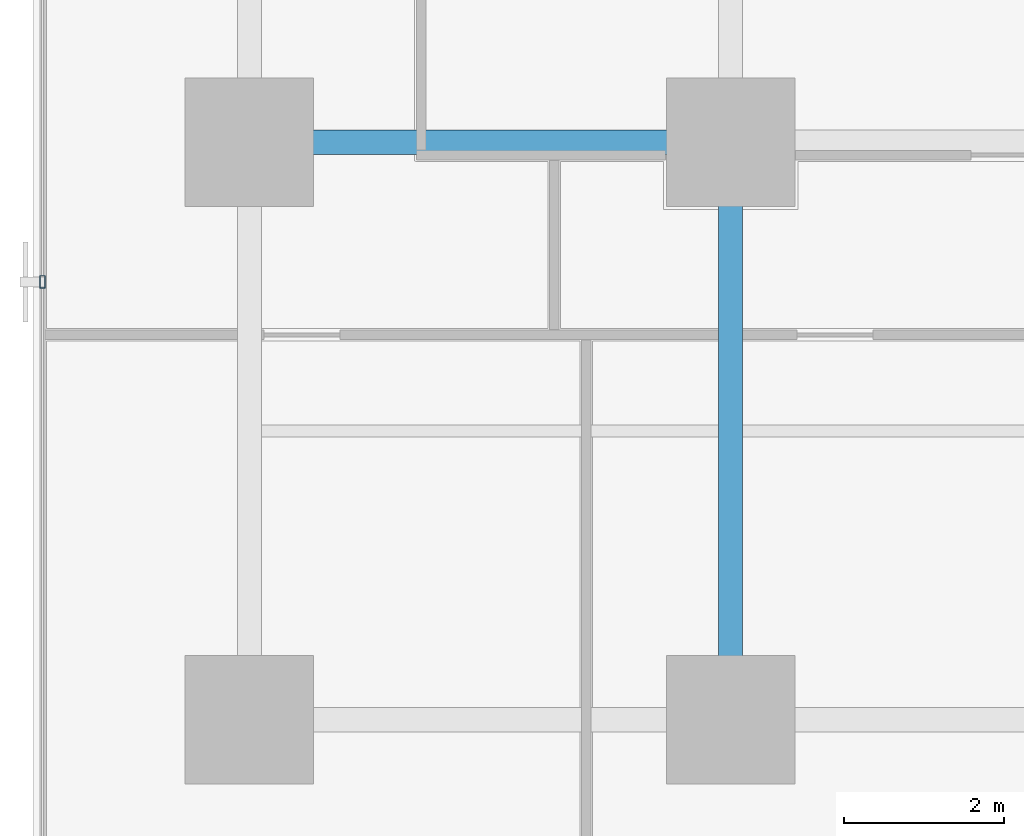
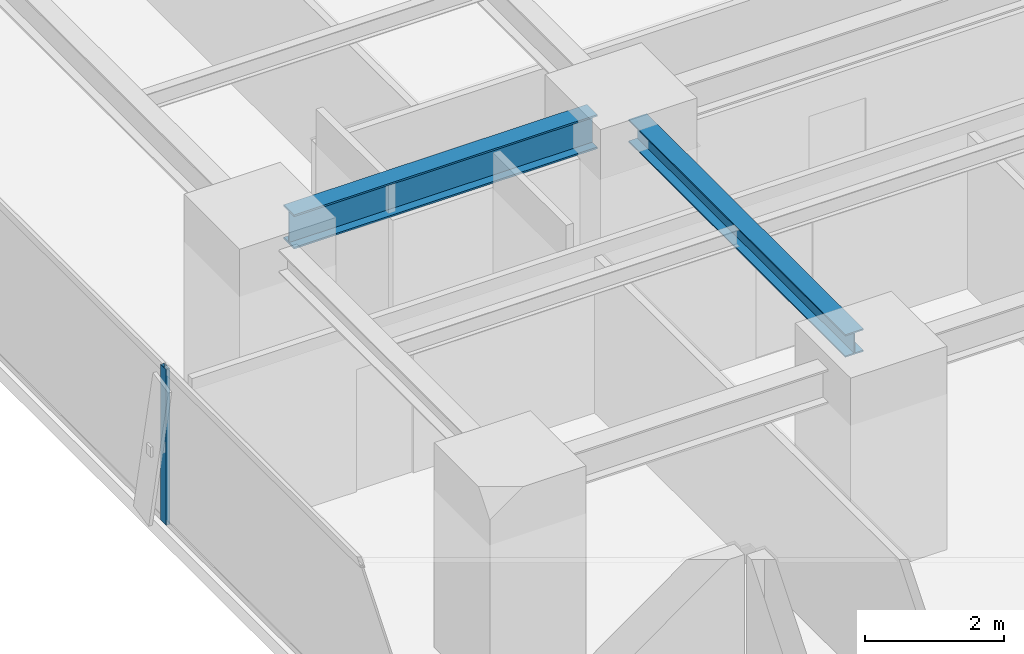
# One storey, part 4 of 37: 2 beams, 1 member, 1 element without a shape of its own.
"""IFC4 building model written with IfcOpenShell, lengths in metres."""

from ifc_helpers import new_model, si_unit, direction, frame, origin, origin_2d, place, context, subcontext, project, spatial, hollow_rectangle, i_section, extrude, source, transform, mapped, material, layer, layer_set, material_profile, profile_set, type_object, element, aggregate, save


model = new_model("IFC4")

# Units and contexts
model_context = context("Model", 3, precision=1e-05, world=origin(), true_north=direction((0.0, 1.0)))
body_context = subcontext(model_context, "Body", "Model", "MODEL_VIEW")
ifc_project = project(units=[si_unit("LENGTHUNIT", "METRE"), si_unit("AREAUNIT", "SQUARE_METRE"), si_unit("VOLUMEUNIT", "CUBIC_METRE"), si_unit("PLANEANGLEUNIT", "RADIAN"), si_unit("MASSUNIT", "GRAM", prefix="KILO")], contexts=[model_context])

# Site, building, storey
site_placement = place(None, origin())
site = spatial("IfcSite", under=ifc_project, at=site_placement, CompositionType="ELEMENT")
building_placement = place(site_placement, origin())
building = spatial("IfcBuilding", under=site, at=building_placement, Name="Sumidabori Civic Tower", CompositionType="ELEMENT")
storey_placement = place(building_placement, frame((0.0, 0.0, 81.199951171875)))
storey = spatial("IfcBuildingStorey", under=building, at=storey_placement, Name="L20", CompositionType="ELEMENT", Elevation=81.199951171875)

# Beams
ifc_material_1 = material(Name="Steel SN490", Category="steel")
ifc_material_profile_1 = material_profile(ifc_material_1, i_section(OverallWidth=0.300048828125, OverallDepth=0.60009765625, WebThickness=0.015380859375, FlangeThickness=0.030029296875, at=origin_2d()), Name="HE 600 B")
ifc_profile_set_1 = profile_set([ifc_material_profile_1], Name="Steel SN490")
beam_type_1 = type_object("IfcBeamType", Name="BM-GIRD-600", PredefinedType="BEAM", material=ifc_profile_set_1)
shared_shape_1 = source(origin(), body_context, "Body", "SweptSolid", [
    extrude(i_section(OverallWidth=0.300048828125, OverallDepth=0.60009765625, WebThickness=0.015380859375, FlangeThickness=0.030029296875, at=origin_2d()), origin(), (0.0, 0.0, 1.0), 5.0400390625),
])
beam_1_placement = place(storey_placement, frame((-22.320068359375, -10.800048828125, 3.06005859375), z_axis=(1.0, 0.0, 0.0), x_axis=(0.0, 1.0, 0.0)))
element("IfcBeam", 1, at=beam_1_placement, inside=storey, type_object=beam_type_1, Name="Primary Girder L20 GX-07", PredefinedType="BEAM", context=body_context, shape_type="MappedRepresentation", body=[
    mapped(shared_shape_1, transform((0.0, 0.0, 0.0), x_axis=(1.0, 0.0, 0.0), y_axis=(0.0, 1.0, 0.0), z_axis=(0.0, 0.0, 1.0), scale=1.0)),
])
ifc_material_profile_2 = material_profile(ifc_material_1, i_section(OverallWidth=0.300048828125, OverallDepth=0.39990234375, WebThickness=0.013427734375, FlangeThickness=0.02392578125, at=origin_2d()), Name="HE 400 B")
ifc_profile_set_2 = profile_set([ifc_material_profile_2], Name="Steel SN490")
beam_type_2 = type_object("IfcBeamType", Name="BM-GIRD-400", PredefinedType="BEAM", material=ifc_profile_set_2)
shared_shape_2 = source(origin(), body_context, "Body", "SweptSolid", [
    extrude(i_section(OverallWidth=0.300048828125, OverallDepth=0.39990234375, WebThickness=0.013427734375, FlangeThickness=0.02392578125, at=origin_2d()), origin(), (0.0, 0.0, 1.0), 6.239990234375),
])
beam_2_placement = place(storey_placement, frame((-16.800048828125, -17.52001953125, 3.16015625), z_axis=(0.0, 1.0, 0.0), x_axis=(-1.0, 0.0, 0.0)))
element("IfcBeam", 2, at=beam_2_placement, inside=storey, type_object=beam_type_2, Name="Primary Girder L20 GY-25", PredefinedType="BEAM", context=body_context, shape_type="MappedRepresentation", body=[
    mapped(shared_shape_2, transform((0.0, 0.0, 0.0), x_axis=(1.0, 0.0, 0.0), y_axis=(0.0, 1.0, 0.0), z_axis=(0.0, 0.0, 1.0), scale=1.0)),
])

# Curtain wall, member
ifc_material_2 = material(Name="Anodised Bronze Aluminium AW-6063-T6", Category="aluminium")
ifc_layer = layer(ifc_material_2, 0.179931640625, Name="Anodised Bronze Aluminium AW-6063-T6")
ifc_layer_set = layer_set([ifc_layer], Name="Anodised Bronze Aluminium AW-6063-T6")
curtain_wall_type = type_object("IfcCurtainWallType", Name="CW-SYS-3", PredefinedType="NOTDEFINED", material=ifc_layer_set)
curtain_wall_placement = place(storey_placement, origin())
curtain_wall = element("IfcCurtainWall", 3, at=curtain_wall_placement, inside=storey, type_object=curtain_wall_type, Name="Curtain Wall CW:L20:R10", PredefinedType="NOTDEFINED")
ifc_material_profile_3 = material_profile(ifc_material_2, hollow_rectangle(XDim=0.06494140625, YDim=0.159912109375, WallThickness=0.0048828125, at=origin_2d()), Name="ALU MULLION 160x65")
ifc_profile_set_3 = profile_set([ifc_material_profile_3], Name="Anodised Bronze Aluminium AW-6063-T6")
member_type = type_object("IfcMemberType", Name="CW-MUL-160", PredefinedType="MULLION", material=ifc_profile_set_3)
shared_shape_3 = source(origin(), body_context, "Body", "SweptSolid", [
    extrude(hollow_rectangle(XDim=0.06494140625, YDim=0.159912109375, WallThickness=0.0048828125, at=origin_2d()), origin(), (0.0, 0.0, 1.0), 2.739990234375),
])
member_placement = place(storey_placement, frame((-25.3798828125, -12.5419921875, 0.0), z_axis=(0.0, 0.0, 1.0), x_axis=(1.0, 0.0, 0.0)))
member = element("IfcMember", 4, at=member_placement, type_object=member_type, Name="CW-3 mullion 5", PredefinedType="MULLION", context=body_context, shape_type="MappedRepresentation", body=[
    mapped(shared_shape_3, transform((0.0, 0.0, 0.0), x_axis=(1.0, 0.0, 0.0), y_axis=(0.0, 1.0, 0.0), z_axis=(0.0, 0.0, 1.0), scale=1.0)),
])
aggregate(curtain_wall, [member])

save(model, "model.ifc")
